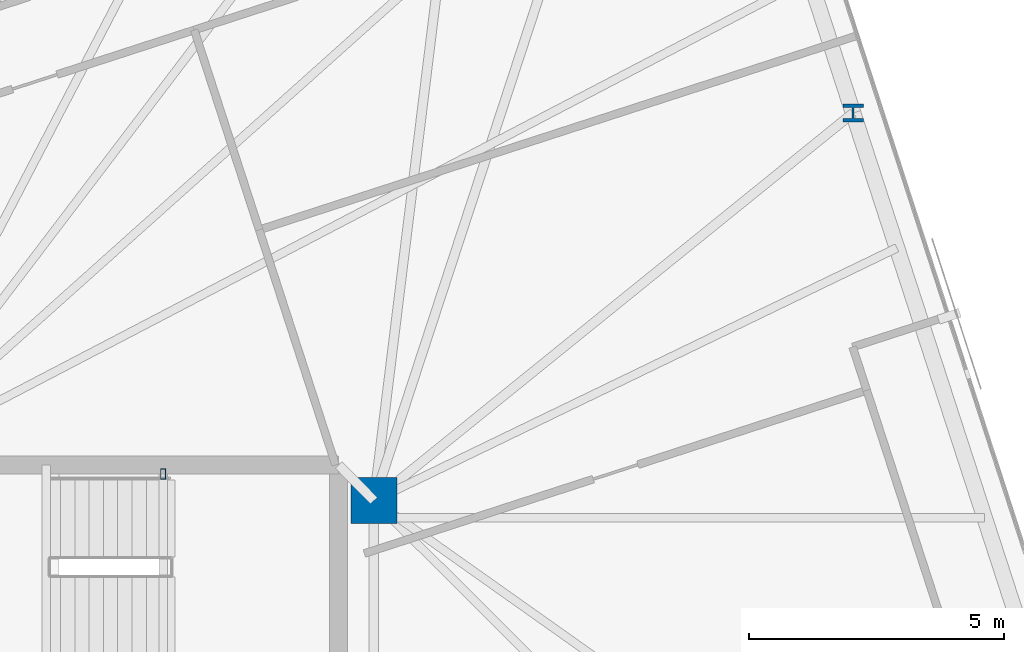
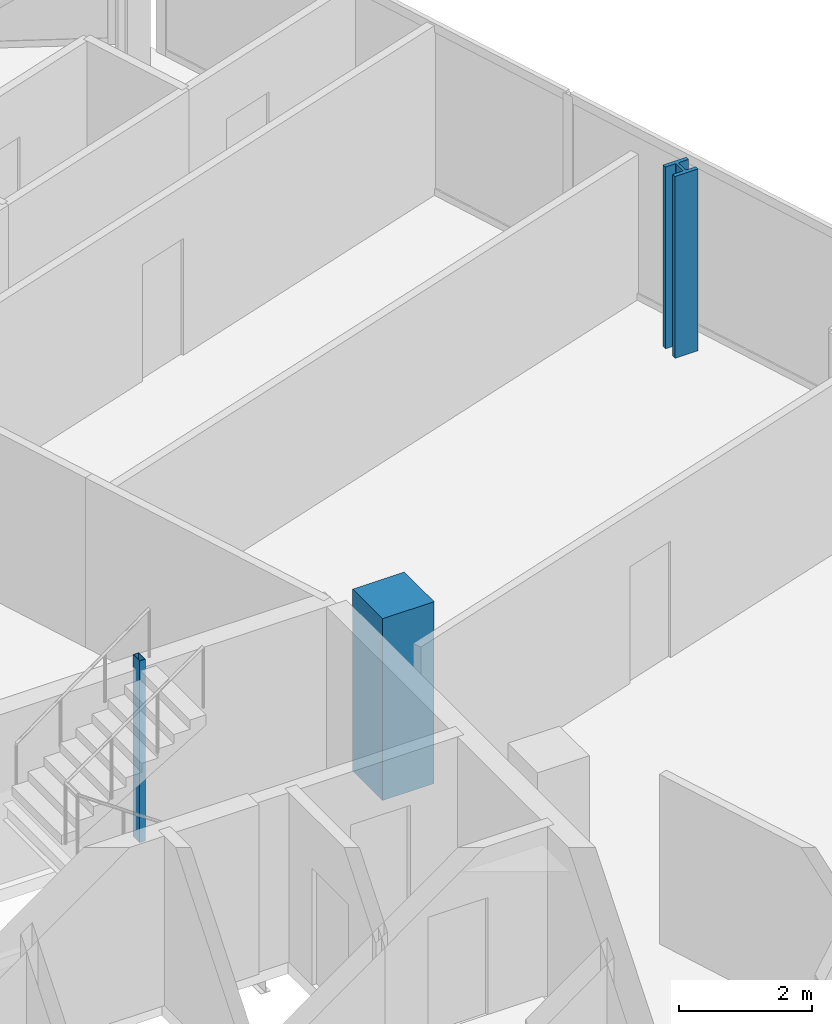
# One storey, part 3 of 19: 3 columns.
"""IFC4 building model written with IfcOpenShell, lengths in metres."""

from ifc_helpers import new_model, si_unit, direction, frame, origin, origin_2d, place, context, subcontext, project, spatial, rectangle, hollow_rectangle, i_section, extrude, material, material_profile, profile_set, type_object, element, save


model = new_model("IFC4")

# Units and contexts
model_context = context("Model", 3, precision=1e-05, world=origin(), true_north=direction((0.0, 1.0)))
body_context = subcontext(model_context, "Body", "Model", "MODEL_VIEW")
ifc_project = project(units=[si_unit("LENGTHUNIT", "METRE"), si_unit("AREAUNIT", "SQUARE_METRE"), si_unit("VOLUMEUNIT", "CUBIC_METRE"), si_unit("PLANEANGLEUNIT", "RADIAN"), si_unit("MASSUNIT", "GRAM", prefix="KILO")], contexts=[model_context])

# Site, building, storey
site_placement = place(None, origin())
site = spatial("IfcSite", under=ifc_project, at=site_placement, CompositionType="ELEMENT")
building_placement = place(site_placement, origin())
building = spatial("IfcBuilding", under=site, at=building_placement, Name="Menara Jurai Vektor", CompositionType="ELEMENT")
storey_placement = place(building_placement, frame((0.0, 0.0, 210.89990234375)))
storey = spatial("IfcBuildingStorey", under=building, at=storey_placement, Name="L55", CompositionType="ELEMENT", Elevation=210.89990234375)

# Columns
ifc_material_1 = material(Name="Concrete C50/60", Category="concrete")
ifc_material_profile_1 = material_profile(ifc_material_1, rectangle(XDim=0.89990234375, YDim=0.89990234375, at=origin_2d()), Name="RC 900x900")
ifc_profile_set_1 = profile_set([ifc_material_profile_1], Name="Concrete C50/60")
column_type_1 = type_object("IfcColumnType", Name="STR-COL-RC900", PredefinedType="COLUMN", material=ifc_profile_set_1)
column_1_placement = place(storey_placement, frame((15.25, 4.89990234375, 0.0), z_axis=(0.0, 0.0, 1.0), x_axis=(1.0, 0.0, 0.0)))
element("IfcColumn", 1, at=column_1_placement, inside=storey, type_object=column_type_1, Name="Core Spine Column CE-NE L55", PredefinedType="COLUMN", context=body_context, shape_type="SweptSolid", body=[
    extrude(rectangle(XDim=0.89990234375, YDim=0.89990234375, at=origin_2d()), origin(), (0.0, 0.0, 1.0), 3.35009765625),
])
ifc_material_2 = material(Name="Steel S355", Category="steel")
ifc_material_profile_2 = material_profile(ifc_material_2, hollow_rectangle(XDim=0.10009765625, YDim=0.199951171875, WallThickness=0.008056640625, at=origin_2d()), Name="RHS 200x100x8")
ifc_profile_set_2 = profile_set([ifc_material_profile_2], Name="Steel S355")
column_type_2 = type_object("IfcColumnType", Name="STR-COL-STAIR", PredefinedType="COLUMN", material=ifc_profile_set_2)
column_2_placement = place(storey_placement, frame((11.1201171875, 5.419921875, 0.0), z_axis=(0.0, 0.0, 1.0), x_axis=(1.0, 0.0, 0.0)))
element("IfcColumn", 2, at=column_2_placement, inside=storey, type_object=column_type_2, Name="Stair Well Header Column ST2-P2 L55", PredefinedType="COLUMN", context=body_context, shape_type="SweptSolid", body=[
    extrude(hollow_rectangle(XDim=0.10009765625, YDim=0.199951171875, WallThickness=0.008056640625, at=origin_2d()), origin(), (0.0, 0.0, 1.0), 3.35009765625),
])
ifc_material_3 = material(Name="Steel S460", Category="steel")
ifc_material_profile_3 = material_profile(ifc_material_3, i_section(OverallWidth=0.405029296875, OverallDepth=0.35498046875, WebThickness=0.0419921875, FlangeThickness=0.068115234375, FilletRadius=0.014892578125, at=origin_2d()), Name="HD 400x551")
ifc_profile_set_3 = profile_set([ifc_material_profile_3], Name="Steel S460")
column_type_3 = type_object("IfcColumnType", Name="STR-EXO-BLK4", PredefinedType="COLUMN", material=ifc_profile_set_3)
column_3_placement = place(storey_placement, frame((24.641845703125, 12.496826171875, 0.0), z_axis=(0.0, 0.0, 1.0), x_axis=(1.0, 0.0, 0.0)))
element("IfcColumn", 3, at=column_3_placement, inside=storey, type_object=column_type_3, Name="Exoskeleton Column BLK4-E3 L55", PredefinedType="COLUMN", context=body_context, shape_type="SweptSolid", body=[
    extrude(i_section(OverallWidth=0.405029296875, OverallDepth=0.35498046875, WebThickness=0.0419921875, FlangeThickness=0.068115234375, FilletRadius=0.014892578125, at=origin_2d()), origin(), (0.0, 0.0, 1.0), 3.35009765625),
])

save(model, "model.ifc")
